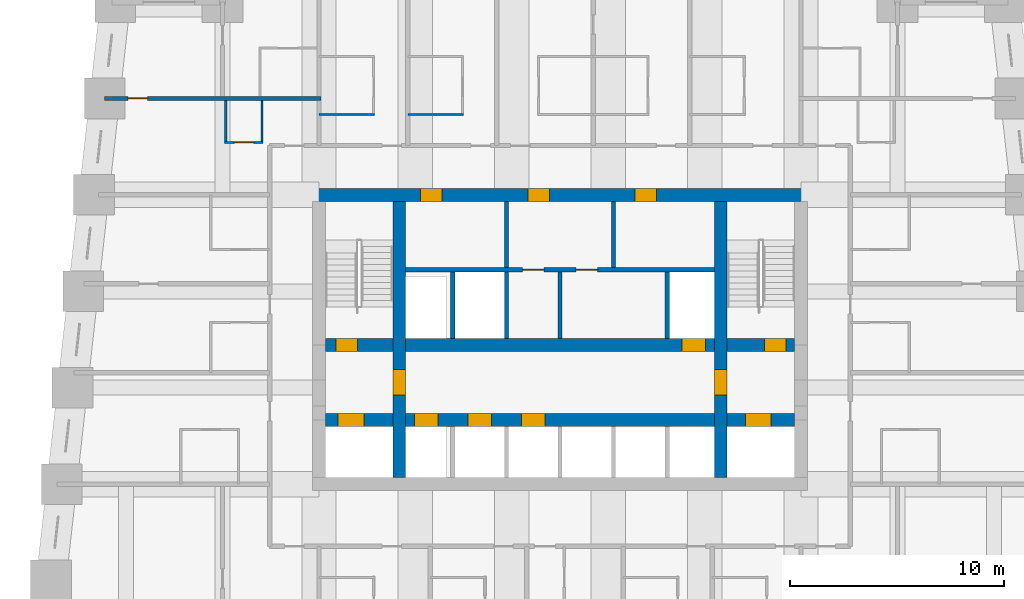
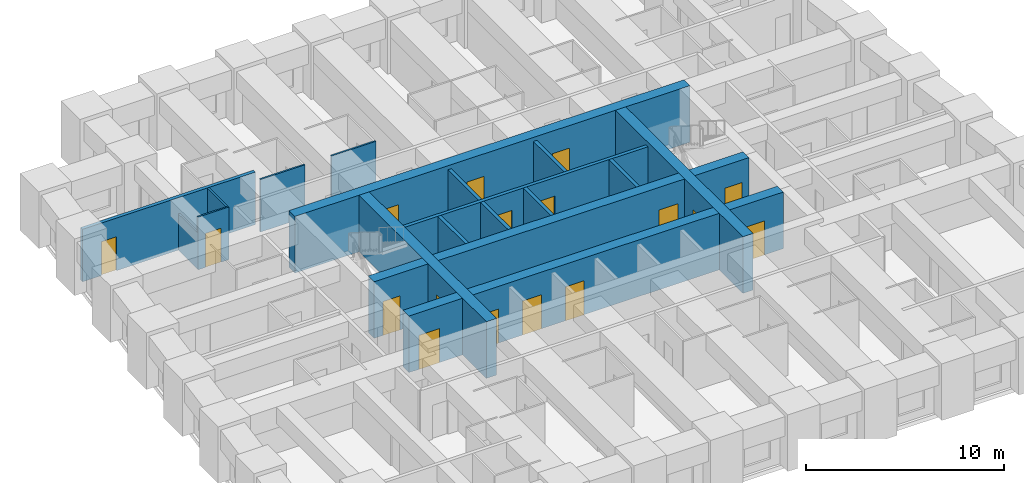
# One storey, part 4 of 8: 18 walls, 17 doors, 17 openings.
"""IFC4 building model written with IfcOpenShell, lengths in metres."""

from ifc_helpers import new_model, si_unit, direction, frame, frame_2d, origin, place, context, subcontext, project, spatial, rectangle, extrude, material, layer, layer_set, type_object, element, fill, save


model = new_model("IFC4")

# Units and contexts
model_context = context("Model", 3, precision=1e-05, world=origin(), true_north=direction((0.0, 1.0)))
body_context = subcontext(model_context, "Body", "Model", "MODEL_VIEW")
ifc_project = project(units=[si_unit("LENGTHUNIT", "METRE"), si_unit("AREAUNIT", "SQUARE_METRE"), si_unit("VOLUMEUNIT", "CUBIC_METRE"), si_unit("PLANEANGLEUNIT", "RADIAN"), si_unit("MASSUNIT", "GRAM", prefix="KILO")], contexts=[model_context])

# Site, building, storey
site_placement = place(None, origin())
site = spatial("IfcSite", under=ifc_project, at=site_placement, CompositionType="ELEMENT")
building_placement = place(site_placement, origin())
building = spatial("IfcBuilding", under=site, at=building_placement, Name="Kilele Tower Hotel", CompositionType="ELEMENT")
storey_placement = place(building_placement, frame((0.0, 0.0, 43.699951171875)))
storey = spatial("IfcBuildingStorey", under=building, at=storey_placement, Name="L09", CompositionType="ELEMENT", Elevation=43.699951171875)

# Walls
ifc_material_1 = material(Name="Moisture-resistant board")
ifc_layer_1 = layer(ifc_material_1, 0.10009765625)
ifc_layer_set_1 = layer_set([ifc_layer_1], Name="Moisture-resistant board")
wall_type_1 = type_object("IfcWallType", Name="Bathroom partition 100", PredefinedType="PLUMBINGWALL", material=ifc_layer_set_1)
for number, where, z_axis, x_axis, name in (
    (1, (13.5, 30.75, 0.0), (0.0, 0.0, 1.0), (1.0, 0.0, 0.0), "Bathroom partition 100 L09"),
    (2, (17.64990234375, 30.75, 0.0), (0.0, 0.0, 1.0), (1.0, 0.0, 0.0), "Bathroom partition 100 L09"),
):
    element("IfcWall", number, at=place(storey_placement, frame(where, z_axis=z_axis, x_axis=x_axis)), inside=storey, type_object=wall_type_1, Name=name, PredefinedType="PLUMBINGWALL", context=body_context, shape_type="SweptSolid", body=[
        extrude(rectangle(XDim=2.60009765625, YDim=0.10009765625, at=frame_2d((1.300048828125, 0.0))), origin(), (0.0, 0.0, 1.0), 3.25),
    ])
wall_1_placement = place(storey_placement, frame((9.14990234375, 31.39990234375, 0.0), z_axis=(0.0, 0.0, 1.0), x_axis=(0.0, -1.0, 0.0)))
element("IfcWall", 3, at=wall_1_placement, inside=storey, type_object=wall_type_1, Name="Bathroom partition 100 L09", PredefinedType="PLUMBINGWALL", context=body_context, shape_type="SweptSolid", body=[
    extrude(rectangle(XDim=2.0, YDim=0.10009765625, at=frame_2d((1.0, 0.0))), origin(), (0.0, 0.0, 1.0), 2.25),
])
wall_2_placement = place(storey_placement, frame((10.85009765625, 31.39990234375, 0.0), z_axis=(0.0, 0.0, 1.0), x_axis=(0.0, -1.0, 0.0)))
element("IfcWall", 4, at=wall_2_placement, inside=storey, type_object=wall_type_1, Name="Bathroom partition 100 L09", PredefinedType="PLUMBINGWALL", context=body_context, shape_type="SweptSolid", body=[
    extrude(rectangle(XDim=2.0, YDim=0.10009765625, at=frame_2d((1.0, 0.0))), origin(), (0.0, 0.0, 1.0), 3.25),
])

# Wall, opening, door
wall_3_placement = place(storey_placement, frame((10.89990234375, 29.449951171875, 0.0), z_axis=(0.0, 0.0, 1.0), x_axis=(-1.0, 0.0, 0.0)))
wall_3 = element("IfcWall", 5, at=wall_3_placement, inside=storey, type_object=wall_type_1, Name="Bathroom partition 100 L09", PredefinedType="PLUMBINGWALL", context=body_context, shape_type="SweptSolid", body=[
    extrude(rectangle(XDim=1.7998046875, YDim=0.10009765625, at=frame_2d((0.89990234375, 0.0))), origin(), (0.0, 0.0, 1.0), 3.25),
])
opening_1_placement = place(wall_3_placement, frame((0.449951171875, 0.0, 0.0)))
opening_1 = element("IfcOpeningElement", 6, at=opening_1_placement, cuts=wall_3, Name="Opening D2A", PredefinedType="OPENING", context=body_context, shape_type="SweptSolid", body=[
    extrude(rectangle(XDim=0.89990234375, YDim=2.10009765625, at=frame_2d((0.449951171875, 1.050048828125))), frame((0.0, 0.06005859375, 0.0), z_axis=(0.0, -1.0, 0.0), x_axis=(1.0, 0.0, 0.0)), (0.0, 0.0, 1.0), 0.1201171875),
])
ifc_material_2 = material(Name="Timber door leaf in hardwood frame", Category="wood")
door_type_1 = type_object("IfcDoorType", Name="Bathroom door 900", OperationType="SINGLE_SWING_LEFT", PredefinedType="DOOR", material=ifc_material_2)
door_1_placement = place(opening_1_placement, origin())
door_1 = element("IfcDoor", 7, at=door_1_placement, inside=storey, type_object=door_type_1, Name="Bathroom door 0926P", OperationType="SINGLE_SWING_LEFT", OverallHeight=2.10009765625, OverallWidth=0.89990234375, PredefinedType="DOOR", context=body_context, shape_type="SweptSolid", body=[
    extrude(rectangle(XDim=0.89990234375, YDim=2.10009765625, at=frame_2d((0.449951171875, 1.050048828125))), frame((0.0, 0.02490234375, 0.0), z_axis=(0.0, -1.0, 0.0), x_axis=(1.0, 0.0, 0.0)), (0.0, 0.0, 1.0), 0.050048828125),
])
fill(opening_1, door_1)

# Wall, openings, doors
ifc_material_3 = material(Name="Concrete C60/75", Category="concrete")
ifc_layer_2 = layer(ifc_material_3, 0.60009765625)
ifc_layer_set_2 = layer_set([ifc_layer_2], Name="Concrete C60/75")
wall_type_2 = type_object("IfcWallType", Name="Core wall 600 C60/75", PredefinedType="SHEAR", material=ifc_layer_set_2)
wall_4_placement = place(storey_placement, frame((36.300048828125, 27.0, 0.0), z_axis=(0.0, 0.0, 1.0), x_axis=(-1.0, 0.0, 0.0)))
wall_4 = element("IfcWall", 8, at=wall_4_placement, inside=storey, type_object=wall_type_2, Name="Core wall N L09", PredefinedType="SHEAR", context=body_context, shape_type="SweptSolid", body=[
    extrude(rectangle(XDim=23.10009765625, YDim=0.60009765625, at=frame_2d((11.550048828125, 0.0))), origin(), (0.0, 0.0, 1.0), 3.5),
])
opening_2_placement = place(wall_4_placement, frame((17.050048828125, 0.0, 0.0)))
opening_2 = element("IfcOpeningElement", 9, at=opening_2_placement, cuts=wall_4, Name="Opening D6", PredefinedType="OPENING", context=body_context, shape_type="SweptSolid", body=[
    extrude(rectangle(XDim=1.0, YDim=2.10009765625, at=frame_2d((0.5, 1.050048828125))), frame((0.0, 0.31005859375, 0.0), z_axis=(0.0, -1.0, 0.0), x_axis=(1.0, 0.0, 0.0)), (0.0, 0.0, 1.0), 0.6201171875),
])
opening_3_placement = place(wall_4_placement, frame((12.050048828125, 0.0, 0.0)))
opening_3 = element("IfcOpeningElement", 10, at=opening_3_placement, cuts=wall_4, Name="Opening D6", PredefinedType="OPENING", context=body_context, shape_type="SweptSolid", body=[
    extrude(rectangle(XDim=1.0, YDim=2.10009765625, at=frame_2d((0.5, 1.050048828125))), frame((0.0, 0.31005859375, 0.0), z_axis=(0.0, -1.0, 0.0), x_axis=(1.0, 0.0, 0.0)), (0.0, 0.0, 1.0), 0.6201171875),
])
opening_4_placement = place(wall_4_placement, frame((7.050048828125, 0.0, 0.0)))
opening_4 = element("IfcOpeningElement", 11, at=opening_4_placement, cuts=wall_4, Name="Opening D6", PredefinedType="OPENING", context=body_context, shape_type="SweptSolid", body=[
    extrude(rectangle(XDim=1.0, YDim=2.10009765625, at=frame_2d((0.5, 1.050048828125))), frame((0.0, 0.31005859375, 0.0), z_axis=(0.0, -1.0, 0.0), x_axis=(1.0, 0.0, 0.0)), (0.0, 0.0, 1.0), 0.6201171875),
])
ifc_material_4 = material(Name="Timber door leaf in hardwood frame", Category="wood")
door_type_2 = type_object("IfcDoorType", Name="Riser door 1000", OperationType="SINGLE_SWING_LEFT", PredefinedType="DOOR", material=ifc_material_4)
door_2_placement = place(opening_2_placement, origin())
door_2 = element("IfcDoor", 12, at=door_2_placement, inside=storey, type_object=door_type_2, Name="Service riser door L09", OperationType="SINGLE_SWING_RIGHT", OverallHeight=2.10009765625, OverallWidth=1.0, PredefinedType="DOOR", context=body_context, shape_type="SweptSolid", body=[
    extrude(rectangle(XDim=1.0, YDim=2.10009765625, at=frame_2d((0.5, 1.050048828125))), frame((0.0, 0.2998046875, 0.0), z_axis=(0.0, -1.0, 0.0), x_axis=(1.0, 0.0, 0.0)), (0.0, 0.0, 1.0), 0.599609375),
])
fill(opening_2, door_2)
door_3_placement = place(opening_3_placement, origin())
door_3 = element("IfcDoor", 13, at=door_3_placement, inside=storey, type_object=door_type_2, Name="Housekeeping store door L09", OperationType="SINGLE_SWING_RIGHT", OverallHeight=2.10009765625, OverallWidth=1.0, PredefinedType="DOOR", context=body_context, shape_type="SweptSolid", body=[
    extrude(rectangle(XDim=1.0, YDim=2.10009765625, at=frame_2d((0.5, 1.050048828125))), frame((0.0, 0.2998046875, 0.0), z_axis=(0.0, -1.0, 0.0), x_axis=(1.0, 0.0, 0.0)), (0.0, 0.0, 1.0), 0.599609375),
])
fill(opening_3, door_3)
door_4_placement = place(opening_4_placement, origin())
door_4 = element("IfcDoor", 14, at=door_4_placement, inside=storey, type_object=door_type_2, Name="Electrical riser door L09", OperationType="SINGLE_SWING_RIGHT", OverallHeight=2.10009765625, OverallWidth=1.0, PredefinedType="DOOR", context=body_context, shape_type="SweptSolid", body=[
    extrude(rectangle(XDim=1.0, YDim=2.10009765625, at=frame_2d((0.5, 1.050048828125))), frame((0.0, 0.2998046875, 0.0), z_axis=(0.0, -1.0, 0.0), x_axis=(1.0, 0.0, 0.0)), (0.0, 0.0, 1.0), 0.599609375),
])
fill(opening_4, door_4)

# Wall, opening, door
wall_5_placement = place(storey_placement, frame((17.25, 13.800048828125, 0.0), z_axis=(0.0, 0.0, 1.0), x_axis=(0.0, 1.0, 0.0)))
wall_5 = element("IfcWall", 15, at=wall_5_placement, inside=storey, type_object=wall_type_2, Name="Core wall IW L09", PredefinedType="SHEAR", context=body_context, shape_type="SweptSolid", body=[
    extrude(rectangle(XDim=12.89990234375, YDim=0.60009765625, at=frame_2d((6.449951171875, 0.0))), origin(), (0.0, 0.0, 1.0), 3.5),
])
opening_5_placement = place(wall_5_placement, frame((3.85009765625, 0.0, 0.0)))
opening_5 = element("IfcOpeningElement", 16, at=opening_5_placement, cuts=wall_5, Name="Opening D4", PredefinedType="OPENING", context=body_context, shape_type="SweptSolid", body=[
    extrude(rectangle(XDim=1.199951171875, YDim=2.10009765625, at=frame_2d((0.60009765625, 1.050048828125))), frame((0.0, 0.31005859375, 0.0), z_axis=(0.0, -1.0, 0.0), x_axis=(1.0, 0.0, 0.0)), (0.0, 0.0, 1.0), 0.6201171875),
])
ifc_material_5 = material(Name="Timber door leaf in hardwood frame", Category="wood")
door_type_3 = type_object("IfcDoorType", Name="Firefighting lobby door 1200", OperationType="SINGLE_SWING_LEFT", PredefinedType="DOOR", material=ifc_material_5)
door_5_placement = place(opening_5_placement, origin())
door_5 = element("IfcDoor", 17, at=door_5_placement, inside=storey, type_object=door_type_3, Name="Lobby door L09", OperationType="SINGLE_SWING_LEFT", OverallHeight=2.10009765625, OverallWidth=1.199951171875, PredefinedType="DOOR", context=body_context, shape_type="SweptSolid", body=[
    extrude(rectangle(XDim=1.199951171875, YDim=2.10009765625, at=frame_2d((0.60009765625, 1.050048828125))), frame((0.0, 0.2998046875, 0.0), z_axis=(0.0, -1.0, 0.0), x_axis=(1.0, 0.0, 0.0)), (0.0, 0.0, 1.0), 0.599609375),
])
fill(opening_5, door_5)

wall_6_placement = place(storey_placement, frame((32.25, 13.800048828125, 0.0), z_axis=(0.0, 0.0, 1.0), x_axis=(0.0, 1.0, 0.0)))
wall_6 = element("IfcWall", 18, at=wall_6_placement, inside=storey, type_object=wall_type_2, Name="Core wall IE L09", PredefinedType="SHEAR", context=body_context, shape_type="SweptSolid", body=[
    extrude(rectangle(XDim=12.89990234375, YDim=0.60009765625, at=frame_2d((6.449951171875, 0.0))), origin(), (0.0, 0.0, 1.0), 3.5),
])
opening_6_placement = place(wall_6_placement, frame((5.050048828125, 0.0, 0.0), z_axis=(0.0, 0.0, 1.0), x_axis=(-1.0, 0.0, 0.0)))
opening_6 = element("IfcOpeningElement", 19, at=opening_6_placement, cuts=wall_6, Name="Opening D4", PredefinedType="OPENING", context=body_context, shape_type="SweptSolid", body=[
    extrude(rectangle(XDim=1.199951171875, YDim=2.10009765625, at=frame_2d((0.60009765625, 1.050048828125))), frame((0.0, 0.31005859375, 0.0), z_axis=(0.0, -1.0, 0.0), x_axis=(1.0, 0.0, 0.0)), (0.0, 0.0, 1.0), 0.6201171875),
])
door_6_placement = place(opening_6_placement, origin())
door_6 = element("IfcDoor", 20, at=door_6_placement, inside=storey, type_object=door_type_3, Name="Lobby door L09", OperationType="SINGLE_SWING_RIGHT", OverallHeight=2.10009765625, OverallWidth=1.199951171875, PredefinedType="DOOR", context=body_context, shape_type="SweptSolid", body=[
    extrude(rectangle(XDim=1.199951171875, YDim=2.10009765625, at=frame_2d((0.60009765625, 1.050048828125))), frame((0.0, 0.2998046875, 0.0), z_axis=(0.0, -1.0, 0.0), x_axis=(1.0, 0.0, 0.0)), (0.0, 0.0, 1.0), 0.599609375),
])
fill(opening_6, door_6)

# Wall, openings, doors
wall_7_placement = place(storey_placement, frame((13.800048828125, 16.5, 0.0), z_axis=(0.0, 0.0, 1.0), x_axis=(1.0, 0.0, 0.0)))
wall_7 = element("IfcWall", 21, at=wall_7_placement, inside=storey, type_object=wall_type_2, Name="Core wall LS L09", PredefinedType="SHEAR", context=body_context, shape_type="SweptSolid", body=[
    extrude(rectangle(XDim=21.89990234375, YDim=0.60009765625, at=frame_2d((10.949951171875, 0.0))), origin(), (0.0, 0.0, 1.0), 3.5),
])
opening_7_placement = place(wall_7_placement, frame((4.14990234375, 0.0, 0.0)))
opening_7 = element("IfcOpeningElement", 22, at=opening_7_placement, cuts=wall_7, Name="Opening LD1", PredefinedType="OPENING", context=body_context, shape_type="SweptSolid", body=[
    extrude(rectangle(XDim=1.10009765625, YDim=2.10009765625, at=frame_2d((0.550048828125, 1.050048828125))), frame((0.0, 0.31005859375, 0.0), z_axis=(0.0, -1.0, 0.0), x_axis=(1.0, 0.0, 0.0)), (0.0, 0.0, 1.0), 0.6201171875),
])
opening_8_placement = place(wall_7_placement, frame((6.64990234375, 0.0, 0.0)))
opening_8 = element("IfcOpeningElement", 23, at=opening_8_placement, cuts=wall_7, Name="Opening LD1", PredefinedType="OPENING", context=body_context, shape_type="SweptSolid", body=[
    extrude(rectangle(XDim=1.10009765625, YDim=2.10009765625, at=frame_2d((0.550048828125, 1.050048828125))), frame((0.0, 0.31005859375, 0.0), z_axis=(0.0, -1.0, 0.0), x_axis=(1.0, 0.0, 0.0)), (0.0, 0.0, 1.0), 0.6201171875),
])
opening_9_placement = place(wall_7_placement, frame((9.14990234375, 0.0, 0.0)))
opening_9 = element("IfcOpeningElement", 24, at=opening_9_placement, cuts=wall_7, Name="Opening LD1", PredefinedType="OPENING", context=body_context, shape_type="SweptSolid", body=[
    extrude(rectangle(XDim=1.10009765625, YDim=2.10009765625, at=frame_2d((0.550048828125, 1.050048828125))), frame((0.0, 0.31005859375, 0.0), z_axis=(0.0, -1.0, 0.0), x_axis=(1.0, 0.0, 0.0)), (0.0, 0.0, 1.0), 0.6201171875),
])
opening_10_placement = place(wall_7_placement, frame((0.60009765625, 0.0, 0.0)))
opening_10 = element("IfcOpeningElement", 25, at=opening_10_placement, cuts=wall_7, Name="Opening LD2", PredefinedType="OPENING", context=body_context, shape_type="SweptSolid", body=[
    extrude(rectangle(XDim=1.199951171875, YDim=2.10009765625, at=frame_2d((0.60009765625, 1.050048828125))), frame((0.0, 0.31005859375, 0.0), z_axis=(0.0, -1.0, 0.0), x_axis=(1.0, 0.0, 0.0)), (0.0, 0.0, 1.0), 0.6201171875),
])
opening_11_placement = place(wall_7_placement, frame((19.60009765625, 0.0, 0.0)))
opening_11 = element("IfcOpeningElement", 26, at=opening_11_placement, cuts=wall_7, Name="Opening LD2", PredefinedType="OPENING", context=body_context, shape_type="SweptSolid", body=[
    extrude(rectangle(XDim=1.199951171875, YDim=2.10009765625, at=frame_2d((0.60009765625, 1.050048828125))), frame((0.0, 0.31005859375, 0.0), z_axis=(0.0, -1.0, 0.0), x_axis=(1.0, 0.0, 0.0)), (0.0, 0.0, 1.0), 0.6201171875),
])
ifc_material_6 = material(Name="Steel lift landing door", Category="steel")
door_type_4 = type_object("IfcDoorType", Name="Firefighting lift landing door 1200", OperationType="SLIDING_TO_LEFT", PredefinedType="DOOR", material=ifc_material_6)
door_7_placement = place(opening_10_placement, origin())
door_7 = element("IfcDoor", 27, at=door_7_placement, inside=storey, type_object=door_type_4, Name="Landing door FFW L09", OperationType="SLIDING_TO_LEFT", OverallHeight=2.10009765625, OverallWidth=1.199951171875, PredefinedType="DOOR", context=body_context, shape_type="SweptSolid", body=[
    extrude(rectangle(XDim=1.199951171875, YDim=2.10009765625, at=frame_2d((0.60009765625, 1.050048828125))), frame((0.0, 0.2998046875, 0.0), z_axis=(0.0, -1.0, 0.0), x_axis=(1.0, 0.0, 0.0)), (0.0, 0.0, 1.0), 0.599609375),
])
fill(opening_10, door_7)
door_8_placement = place(opening_11_placement, origin())
door_8 = element("IfcDoor", 28, at=door_8_placement, inside=storey, type_object=door_type_4, Name="Landing door FFE L09", OperationType="SLIDING_TO_LEFT", OverallHeight=2.10009765625, OverallWidth=1.199951171875, PredefinedType="DOOR", context=body_context, shape_type="SweptSolid", body=[
    extrude(rectangle(XDim=1.199951171875, YDim=2.10009765625, at=frame_2d((0.60009765625, 1.050048828125))), frame((0.0, 0.2998046875, 0.0), z_axis=(0.0, -1.0, 0.0), x_axis=(1.0, 0.0, 0.0)), (0.0, 0.0, 1.0), 0.599609375),
])
fill(opening_11, door_8)
ifc_material_7 = material(Name="Steel lift landing door", Category="steel")
door_type_5 = type_object("IfcDoorType", Name="Lift landing door 1100", OperationType="SLIDING_TO_LEFT", PredefinedType="DOOR", material=ifc_material_7)
door_9_placement = place(opening_7_placement, origin())
door_9 = element("IfcDoor", 29, at=door_9_placement, inside=storey, type_object=door_type_5, Name="Landing door L1 L09", OperationType="SLIDING_TO_LEFT", OverallHeight=2.10009765625, OverallWidth=1.10009765625, PredefinedType="DOOR", context=body_context, shape_type="SweptSolid", body=[
    extrude(rectangle(XDim=1.10009765625, YDim=2.10009765625, at=frame_2d((0.550048828125, 1.050048828125))), frame((0.0, 0.2998046875, 0.0), z_axis=(0.0, -1.0, 0.0), x_axis=(1.0, 0.0, 0.0)), (0.0, 0.0, 1.0), 0.599609375),
])
fill(opening_7, door_9)
door_10_placement = place(opening_8_placement, origin())
door_10 = element("IfcDoor", 30, at=door_10_placement, inside=storey, type_object=door_type_5, Name="Landing door L2 L09", OperationType="SLIDING_TO_LEFT", OverallHeight=2.10009765625, OverallWidth=1.10009765625, PredefinedType="DOOR", context=body_context, shape_type="SweptSolid", body=[
    extrude(rectangle(XDim=1.10009765625, YDim=2.10009765625, at=frame_2d((0.550048828125, 1.050048828125))), frame((0.0, 0.2998046875, 0.0), z_axis=(0.0, -1.0, 0.0), x_axis=(1.0, 0.0, 0.0)), (0.0, 0.0, 1.0), 0.599609375),
])
fill(opening_8, door_10)
door_11_placement = place(opening_9_placement, origin())
door_11 = element("IfcDoor", 31, at=door_11_placement, inside=storey, type_object=door_type_5, Name="Landing door L3 L09", OperationType="SLIDING_TO_LEFT", OverallHeight=2.10009765625, OverallWidth=1.10009765625, PredefinedType="DOOR", context=body_context, shape_type="SweptSolid", body=[
    extrude(rectangle(XDim=1.10009765625, YDim=2.10009765625, at=frame_2d((0.550048828125, 1.050048828125))), frame((0.0, 0.2998046875, 0.0), z_axis=(0.0, -1.0, 0.0), x_axis=(1.0, 0.0, 0.0)), (0.0, 0.0, 1.0), 0.599609375),
])
fill(opening_9, door_11)

wall_8_placement = place(storey_placement, frame((13.800048828125, 20.0, 0.0), z_axis=(0.0, 0.0, 1.0), x_axis=(1.0, 0.0, 0.0)))
wall_8 = element("IfcWall", 32, at=wall_8_placement, inside=storey, type_object=wall_type_2, Name="Core wall LN L09", PredefinedType="SHEAR", context=body_context, shape_type="SweptSolid", body=[
    extrude(rectangle(XDim=21.89990234375, YDim=0.60009765625, at=frame_2d((10.949951171875, 0.0))), origin(), (0.0, 0.0, 1.0), 3.5),
])
opening_12_placement = place(wall_8_placement, frame((0.5, 0.0, 0.0)))
opening_12 = element("IfcOpeningElement", 33, at=opening_12_placement, cuts=wall_8, Name="Opening D5", PredefinedType="OPENING", context=body_context, shape_type="SweptSolid", body=[
    extrude(rectangle(XDim=1.0, YDim=2.10009765625, at=frame_2d((0.5, 1.050048828125))), frame((0.0, 0.31005859375, 0.0), z_axis=(0.0, -1.0, 0.0), x_axis=(1.0, 0.0, 0.0)), (0.0, 0.0, 1.0), 0.6201171875),
])
opening_13_placement = place(wall_8_placement, frame((20.5, 0.0, 0.0)))
opening_13 = element("IfcOpeningElement", 34, at=opening_13_placement, cuts=wall_8, Name="Opening D5", PredefinedType="OPENING", context=body_context, shape_type="SweptSolid", body=[
    extrude(rectangle(XDim=1.0, YDim=2.10009765625, at=frame_2d((0.5, 1.050048828125))), frame((0.0, 0.31005859375, 0.0), z_axis=(0.0, -1.0, 0.0), x_axis=(1.0, 0.0, 0.0)), (0.0, 0.0, 1.0), 0.6201171875),
])
opening_14_placement = place(wall_8_placement, frame((16.64990234375, 0.0, 0.0)))
opening_14 = element("IfcOpeningElement", 35, at=opening_14_placement, cuts=wall_8, Name="Opening LD1", PredefinedType="OPENING", context=body_context, shape_type="SweptSolid", body=[
    extrude(rectangle(XDim=1.10009765625, YDim=2.10009765625, at=frame_2d((0.550048828125, 1.050048828125))), frame((0.0, 0.31005859375, 0.0), z_axis=(0.0, -1.0, 0.0), x_axis=(1.0, 0.0, 0.0)), (0.0, 0.0, 1.0), 0.6201171875),
])
door_12_placement = place(opening_14_placement, origin())
door_12 = element("IfcDoor", 36, at=door_12_placement, inside=storey, type_object=door_type_5, Name="Landing door G1 L09", OperationType="SLIDING_TO_LEFT", OverallHeight=2.10009765625, OverallWidth=1.10009765625, PredefinedType="DOOR", context=body_context, shape_type="SweptSolid", body=[
    extrude(rectangle(XDim=1.10009765625, YDim=2.10009765625, at=frame_2d((0.550048828125, 1.050048828125))), frame((0.0, 0.2998046875, 0.0), z_axis=(0.0, -1.0, 0.0), x_axis=(1.0, 0.0, 0.0)), (0.0, 0.0, 1.0), 0.599609375),
])
fill(opening_14, door_12)
ifc_material_8 = material(Name="Timber door leaf in hardwood frame", Category="wood")
door_type_6 = type_object("IfcDoorType", Name="Stair door 1000", OperationType="SINGLE_SWING_LEFT", PredefinedType="DOOR", material=ifc_material_8)
door_13_placement = place(opening_12_placement, origin())
door_13 = element("IfcDoor", 37, at=door_13_placement, inside=storey, type_object=door_type_6, Name="Stair 1 door L09", OperationType="SINGLE_SWING_LEFT", OverallHeight=2.10009765625, OverallWidth=1.0, PredefinedType="DOOR", context=body_context, shape_type="SweptSolid", body=[
    extrude(rectangle(XDim=1.0, YDim=2.10009765625, at=frame_2d((0.5, 1.050048828125))), frame((0.0, 0.2998046875, 0.0), z_axis=(0.0, -1.0, 0.0), x_axis=(1.0, 0.0, 0.0)), (0.0, 0.0, 1.0), 0.599609375),
])
fill(opening_12, door_13)
door_14_placement = place(opening_13_placement, origin())
door_14 = element("IfcDoor", 38, at=door_14_placement, inside=storey, type_object=door_type_6, Name="Stair 2 door L09", OperationType="SINGLE_SWING_RIGHT", OverallHeight=2.10009765625, OverallWidth=1.0, PredefinedType="DOOR", context=body_context, shape_type="SweptSolid", body=[
    extrude(rectangle(XDim=1.0, YDim=2.10009765625, at=frame_2d((0.5, 1.050048828125))), frame((0.0, 0.2998046875, 0.0), z_axis=(0.0, -1.0, 0.0), x_axis=(1.0, 0.0, 0.0)), (0.0, 0.0, 1.0), 0.599609375),
])
fill(opening_13, door_14)

# Wall, opening, door
ifc_material_9 = material(Name="Blockwork, plastered both sides", Category="masonry")
ifc_layer_3 = layer(ifc_material_9, 0.199951171875)
ifc_layer_set_3 = layer_set([ifc_layer_3], Name="Blockwork, plastered both sides")
wall_type_3 = type_object("IfcWallType", Name="Party wall 200", PredefinedType="PARTITIONING", material=ifc_layer_set_3)
wall_9_placement = place(storey_placement, frame((13.60009765625, 31.5, 0.0), z_axis=(0.0, 0.0, 1.0), x_axis=(-1.0, 0.0, 0.0)))
wall_9 = element("IfcWall", 39, at=wall_9_placement, inside=storey, type_object=wall_type_3, Name="Party wall 200 L09", PredefinedType="PARTITIONING", context=body_context, shape_type="SweptSolid", body=[
    extrude(rectangle(XDim=10.09912109375, YDim=0.199951171875, at=frame_2d((5.049560546875, 0.0))), origin(), (0.0, 0.0, 1.0), 3.25),
])
opening_15_placement = place(wall_9_placement, frame((8.9990234375, 0.0, 0.0), z_axis=(0.0, 0.0, 1.0), x_axis=(-1.0, 0.0, 0.0)))
opening_15 = element("IfcOpeningElement", 40, at=opening_15_placement, cuts=wall_9, Name="Opening D3", PredefinedType="OPENING", context=body_context, shape_type="SweptSolid", body=[
    extrude(rectangle(XDim=0.89990234375, YDim=2.10009765625, at=frame_2d((0.449951171875, 1.050048828125))), frame((0.0, 0.10986328125, 0.0), z_axis=(0.0, -1.0, 0.0), x_axis=(1.0, 0.0, 0.0)), (0.0, 0.0, 1.0), 0.219970703125),
])
ifc_material_10 = material(Name="Timber door leaf in hardwood frame", Category="wood")
door_type_7 = type_object("IfcDoorType", Name="Suite internal door 900", OperationType="SINGLE_SWING_LEFT", PredefinedType="DOOR", material=ifc_material_10)
door_15_placement = place(opening_15_placement, origin())
door_15 = element("IfcDoor", 41, at=door_15_placement, inside=storey, type_object=door_type_7, Name="Suite door 0927", OperationType="SINGLE_SWING_LEFT", OverallHeight=2.10009765625, OverallWidth=0.89990234375, PredefinedType="DOOR", context=body_context, shape_type="SweptSolid", body=[
    extrude(rectangle(XDim=0.89990234375, YDim=2.10009765625, at=frame_2d((0.449951171875, 1.050048828125))), frame((0.0, 0.02490234375, 0.0), z_axis=(0.0, -1.0, 0.0), x_axis=(1.0, 0.0, 0.0)), (0.0, 0.0, 1.0), 0.050048828125),
])
fill(opening_15, door_15)

# Walls
ifc_material_11 = material(Name="Blockwork, fire-rated", Category="masonry")
ifc_layer_4 = layer(ifc_material_11, 0.199951171875)
ifc_layer_set_4 = layer_set([ifc_layer_4], Name="Blockwork, fire-rated")
wall_type_4 = type_object("IfcWallType", Name="Shaft wall 200", PredefinedType="PARTITIONING", material=ifc_layer_set_4)
for number, where, z_axis, x_axis, name in (
    (42, (19.75, 20.300048828125, 0.0), (0.0, 0.0, 1.0), (0.0, 1.0, 0.0), "Shaft wall 200 L09"),
    (43, (22.25, 20.300048828125, 0.0), (0.0, 0.0, 1.0), (0.0, 1.0, 0.0), "Shaft wall 200 L09"),
    (44, (24.75, 20.300048828125, 0.0), (0.0, 0.0, 1.0), (0.0, 1.0, 0.0), "Shaft wall 200 L09"),
    (45, (29.75, 20.300048828125, 0.0), (0.0, 0.0, 1.0), (0.0, 1.0, 0.0), "Shaft wall 200 L09"),
):
    element("IfcWall", number, at=place(storey_placement, frame(where, z_axis=z_axis, x_axis=x_axis)), inside=storey, type_object=wall_type_4, Name=name, PredefinedType="PARTITIONING", context=body_context, shape_type="SweptSolid", body=[
        extrude(rectangle(XDim=3.099853515625, YDim=0.199951171875, at=frame_2d((1.5498046875, 0.0))), origin(), (0.0, 0.0, 1.0), 3.25),
    ])

# Wall, openings, doors
wall_10_placement = place(storey_placement, frame((17.550048828125, 23.5, 0.0), z_axis=(0.0, 0.0, 1.0), x_axis=(1.0, 0.0, 0.0)))
wall_10 = element("IfcWall", 46, at=wall_10_placement, inside=storey, type_object=wall_type_4, Name="Shaft wall 200 L09", PredefinedType="PARTITIONING", context=body_context, shape_type="SweptSolid", body=[
    extrude(rectangle(XDim=14.39990234375, YDim=0.199951171875, at=frame_2d((7.199951171875, 0.0))), origin(), (0.0, 0.0, 1.0), 3.25),
])
opening_16_placement = place(wall_10_placement, frame((6.449951171875, 0.0, 0.0), z_axis=(0.0, 0.0, 1.0), x_axis=(-1.0, 0.0, 0.0)))
opening_16 = element("IfcOpeningElement", 47, at=opening_16_placement, cuts=wall_10, Name="Opening D11", PredefinedType="OPENING", context=body_context, shape_type="SweptSolid", body=[
    extrude(rectangle(XDim=1.0, YDim=2.10009765625, at=frame_2d((0.5, 1.050048828125))), frame((0.0, 0.10986328125, 0.0), z_axis=(0.0, -1.0, 0.0), x_axis=(1.0, 0.0, 0.0)), (0.0, 0.0, 1.0), 0.219970703125),
])
opening_17_placement = place(wall_10_placement, frame((7.949951171875, 0.0, 0.0)))
opening_17 = element("IfcOpeningElement", 48, at=opening_17_placement, cuts=wall_10, Name="Opening D11", PredefinedType="OPENING", context=body_context, shape_type="SweptSolid", body=[
    extrude(rectangle(XDim=1.0, YDim=2.10009765625, at=frame_2d((0.5, 1.050048828125))), frame((0.0, 0.10986328125, 0.0), z_axis=(0.0, -1.0, 0.0), x_axis=(1.0, 0.0, 0.0)), (0.0, 0.0, 1.0), 0.219970703125),
])
ifc_material_12 = material(Name="Timber door leaf in hardwood frame", Category="wood")
door_type_8 = type_object("IfcDoorType", Name="Core store door 1000", OperationType="SINGLE_SWING_LEFT", PredefinedType="DOOR", material=ifc_material_12)
door_16_placement = place(opening_16_placement, origin())
door_16 = element("IfcDoor", 49, at=door_16_placement, inside=storey, type_object=door_type_8, Name="Core room door H1", OperationType="SINGLE_SWING_RIGHT", OverallHeight=2.10009765625, OverallWidth=1.0, PredefinedType="DOOR", context=body_context, shape_type="SweptSolid", body=[
    extrude(rectangle(XDim=1.0, YDim=2.10009765625, at=frame_2d((0.5, 1.050048828125))), frame((0.0, 0.02490234375, 0.0), z_axis=(0.0, -1.0, 0.0), x_axis=(1.0, 0.0, 0.0)), (0.0, 0.0, 1.0), 0.050048828125),
])
fill(opening_16, door_16)
door_17_placement = place(opening_17_placement, origin())
door_17 = element("IfcDoor", 50, at=door_17_placement, inside=storey, type_object=door_type_8, Name="Core room door H2", OperationType="SINGLE_SWING_RIGHT", OverallHeight=2.10009765625, OverallWidth=1.0, PredefinedType="DOOR", context=body_context, shape_type="SweptSolid", body=[
    extrude(rectangle(XDim=1.0, YDim=2.10009765625, at=frame_2d((0.5, 1.050048828125))), frame((0.0, 0.02490234375, 0.0), z_axis=(0.0, -1.0, 0.0), x_axis=(1.0, 0.0, 0.0)), (0.0, 0.0, 1.0), 0.050048828125),
])
fill(opening_17, door_17)

# Walls
for number, where, z_axis, x_axis, name in (
    (51, (22.25, 23.60009765625, 0.0), (0.0, 0.0, 1.0), (0.0, 1.0, 0.0), "Shaft wall 200 L09"),
    (52, (27.25, 23.60009765625, 0.0), (0.0, 0.0, 1.0), (0.0, 1.0, 0.0), "Shaft wall 200 L09"),
):
    element("IfcWall", number, at=place(storey_placement, frame(where, z_axis=z_axis, x_axis=x_axis)), inside=storey, type_object=wall_type_4, Name=name, PredefinedType="PARTITIONING", context=body_context, shape_type="SweptSolid", body=[
        extrude(rectangle(XDim=3.099853515625, YDim=0.199951171875, at=frame_2d((1.5498046875, 0.0))), origin(), (0.0, 0.0, 1.0), 3.25),
    ])

save(model, "model.ifc")
